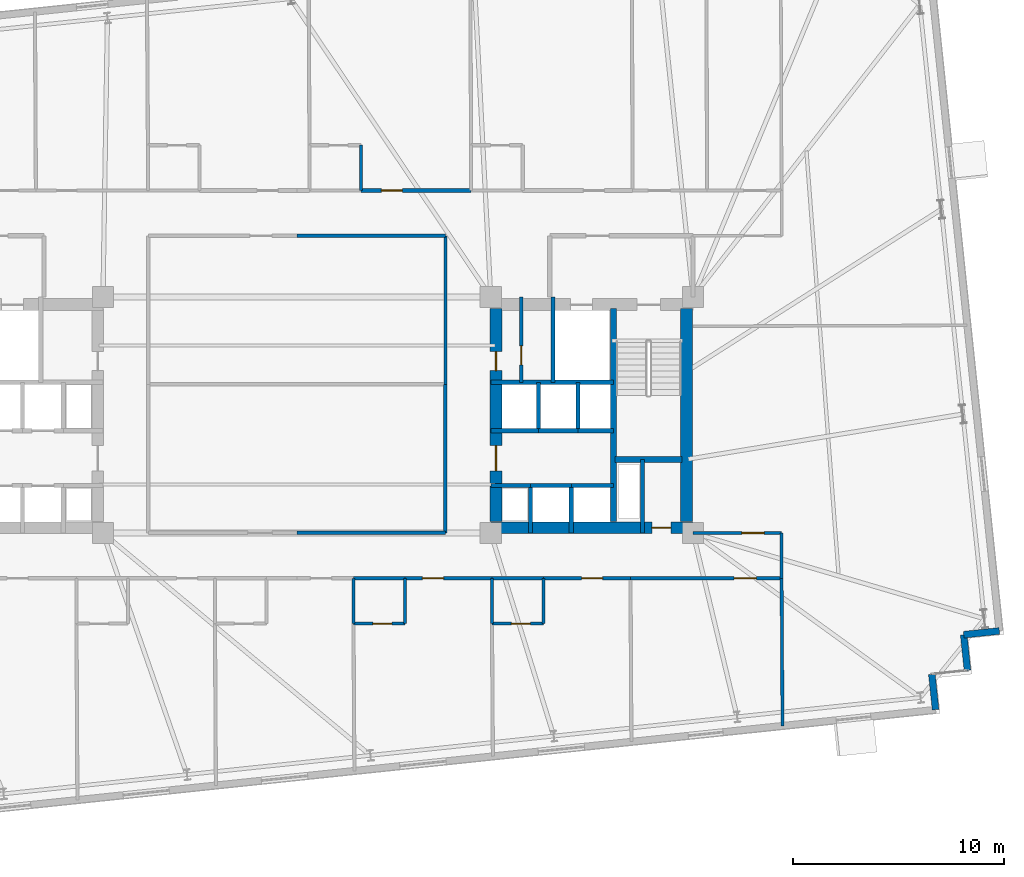
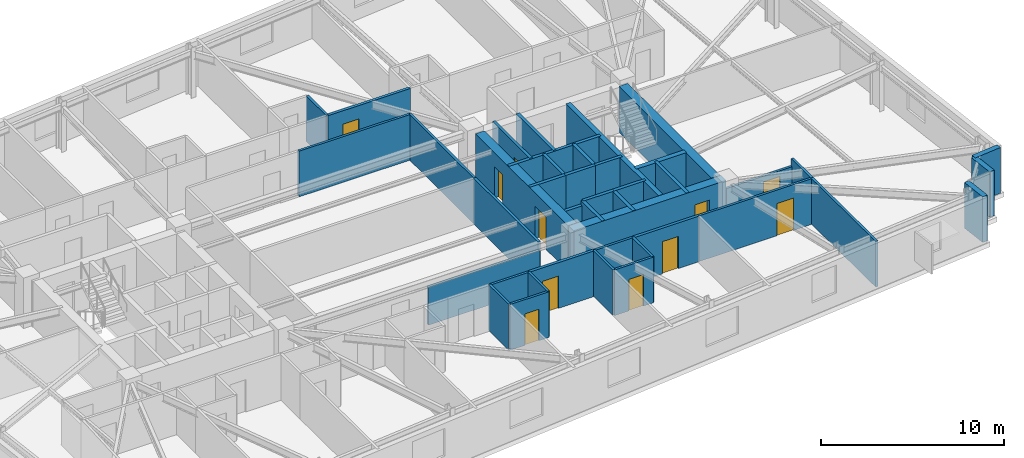
# One storey, part 14 of 19: 42 walls, 11 doors, 11 openings.
"""IFC4 building model written with IfcOpenShell, lengths in metres."""

from ifc_helpers import new_model, si_unit, direction, frame, frame_2d, origin, place, context, subcontext, project, spatial, rectangle, extrude, material, layer, layer_set, type_object, element, fill, save


model = new_model("IFC4")

# Units and contexts
model_context = context("Model", 3, precision=1e-05, world=origin(), true_north=direction((0.0, 1.0)))
body_context = subcontext(model_context, "Body", "Model", "MODEL_VIEW")
ifc_project = project(units=[si_unit("LENGTHUNIT", "METRE"), si_unit("AREAUNIT", "SQUARE_METRE"), si_unit("VOLUMEUNIT", "CUBIC_METRE"), si_unit("PLANEANGLEUNIT", "RADIAN"), si_unit("MASSUNIT", "GRAM", prefix="KILO")], contexts=[model_context])

# Site, building, storey
site_placement = place(None, origin())
site = spatial("IfcSite", under=ifc_project, at=site_placement, CompositionType="ELEMENT")
building_placement = place(site_placement, origin())
building = spatial("IfcBuilding", under=site, at=building_placement, Name="Qobustan Lattice House", CompositionType="ELEMENT")
storey_placement = place(building_placement, frame((0.0, 0.0, 115.85009765625)))
storey = spatial("IfcBuildingStorey", under=building, at=storey_placement, Name="L32", CompositionType="ELEMENT", Elevation=115.85009765625)

# Wall, opening, door
ifc_material_1 = material(Name="Concrete C60/75", Category="concrete")
ifc_layer_1 = layer(ifc_material_1, 0.56005859375)
ifc_layer_set_1 = layer_set([ifc_layer_1], Name="Concrete C60/75")
wall_type_1 = type_object("IfcWallType", Name="WAL-CORE-600", PredefinedType="SHEAR", material=ifc_layer_set_1)
wall_1_placement = place(storey_placement, frame((9.199951171875, -5.35009765625, 0.0), z_axis=(0.0, 0.0, 1.0), x_axis=(1.0, 0.0, 0.0)))
wall_1 = element("IfcWall", 1, at=wall_1_placement, inside=storey, type_object=wall_type_1, Name="L32 split-core shear wall CE-S", PredefinedType="SHEAR", context=body_context, shape_type="SweptSolid", body=[
    extrude(rectangle(XDim=9.60009765625, YDim=0.56005859375, at=frame_2d((4.800048828125, 0.0))), origin(), (0.0, 0.0, 1.0), 3.044921875),
])
opening_1_placement = place(wall_1_placement, frame((7.64990234375, 0.0, 0.0)))
opening_1 = element("IfcOpeningElement", 2, at=opening_1_placement, cuts=wall_1, Name="Opening RD-01", PredefinedType="OPENING", context=body_context, shape_type="SweptSolid", body=[
    extrude(rectangle(XDim=0.89990234375, YDim=2.10009765625, at=frame_2d((0.449951171875, 1.050048828125))), frame((0.0, 0.2900390625, 0.0), z_axis=(0.0, -1.0, 0.0), x_axis=(1.0, 0.0, 0.0)), (0.0, 0.0, 1.0), 0.580078125),
])
ifc_material_2 = material(Name="Persian walnut timber and steel frame door", Category="steel")
door_type_1 = type_object("IfcDoorType", Name="DOR-RISER-FD-900x2100", OperationType="NOTDEFINED", PredefinedType="DOOR", material=ifc_material_2)
door_1_placement = place(opening_1_placement, origin())
door_1 = element("IfcDoor", 3, at=door_1_placement, inside=storey, type_object=door_type_1, Name="L32 core service riser access door E", OperationType="SINGLE_SWING_LEFT", OverallHeight=2.10009765625, OverallWidth=0.89990234375, PredefinedType="DOOR", context=body_context, shape_type="SweptSolid", body=[
    extrude(rectangle(XDim=0.89990234375, YDim=2.10009765625, at=frame_2d((0.449951171875, 1.050048828125))), frame((0.0, 0.02490234375, 0.0), z_axis=(0.0, -1.0, 0.0), x_axis=(1.0, 0.0, 0.0)), (0.0, 0.0, 1.0), 0.050048828125),
])
fill(opening_1, door_1)

# Wall, openings, doors
wall_2_placement = place(storey_placement, frame((9.449951171875, -5.050048828125, 0.0), z_axis=(0.0, 0.0, 1.0), x_axis=(0.0, 1.0, 0.0)))
wall_2 = element("IfcWall", 4, at=wall_2_placement, inside=storey, type_object=wall_type_1, Name="L32 split-core shear wall CE-W", PredefinedType="SHEAR", context=body_context, shape_type="SweptSolid", body=[
    extrude(rectangle(XDim=10.10009765625, YDim=0.56005859375, at=frame_2d((5.050048828125, 0.0))), origin(), (0.0, 0.0, 1.0), 3.044921875),
])
opening_2_placement = place(wall_2_placement, frame((7.14990234375, 0.0, 0.0)))
opening_2 = element("IfcOpeningElement", 5, at=opening_2_placement, cuts=wall_2, Name="Opening RD-01", PredefinedType="OPENING", context=body_context, shape_type="SweptSolid", body=[
    extrude(rectangle(XDim=0.89990234375, YDim=2.10009765625, at=frame_2d((0.449951171875, 1.050048828125))), frame((0.0, 0.2900390625, 0.0), z_axis=(0.0, -1.0, 0.0), x_axis=(1.0, 0.0, 0.0)), (0.0, 0.0, 1.0), 0.580078125),
])
opening_3_placement = place(wall_2_placement, frame((2.39990234375, 0.0, 0.0)))
opening_3 = element("IfcOpeningElement", 6, at=opening_3_placement, cuts=wall_2, Name="Opening FD-01", PredefinedType="OPENING", context=body_context, shape_type="SweptSolid", body=[
    extrude(rectangle(XDim=1.199951171875, YDim=2.14990234375, at=frame_2d((0.60009765625, 1.074951171875))), frame((0.0, 0.2900390625, 0.0), z_axis=(0.0, -1.0, 0.0), x_axis=(1.0, 0.0, 0.0)), (0.0, 0.0, 1.0), 0.580078125),
])
ifc_material_3 = material(Name="Persian walnut timber and steel frame door", Category="steel")
door_type_2 = type_object("IfcDoorType", Name="DOR-LOBBY-FD-1200x2150", OperationType="NOTDEFINED", PredefinedType="DOOR", material=ifc_material_3)
door_2_placement = place(opening_3_placement, origin())
door_2 = element("IfcDoor", 7, at=door_2_placement, inside=storey, type_object=door_type_2, Name="L32 East passenger lift lobby fire door", OperationType="SINGLE_SWING_RIGHT", OverallHeight=2.14990234375, OverallWidth=1.199951171875, PredefinedType="DOOR", context=body_context, shape_type="SweptSolid", body=[
    extrude(rectangle(XDim=1.199951171875, YDim=2.14990234375, at=frame_2d((0.60009765625, 1.074951171875))), frame((0.0, 0.02490234375, 0.0), z_axis=(0.0, -1.0, 0.0), x_axis=(1.0, 0.0, 0.0)), (0.0, 0.0, 1.0), 0.050048828125),
])
fill(opening_3, door_2)
door_3_placement = place(opening_2_placement, origin())
door_3 = element("IfcDoor", 8, at=door_3_placement, inside=storey, type_object=door_type_1, Name="L32 Print and mail closet fire door", OperationType="SINGLE_SWING_LEFT", OverallHeight=2.10009765625, OverallWidth=0.89990234375, PredefinedType="DOOR", context=body_context, shape_type="SweptSolid", body=[
    extrude(rectangle(XDim=0.89990234375, YDim=2.10009765625, at=frame_2d((0.449951171875, 1.050048828125))), frame((0.0, 0.02490234375, 0.0), z_axis=(0.0, -1.0, 0.0), x_axis=(1.0, 0.0, 0.0)), (0.0, 0.0, 1.0), 0.050048828125),
])
fill(opening_2, door_3)

# Walls
wall_3_placement = place(storey_placement, frame((18.489990234375, -5.050048828125, 0.0), z_axis=(0.0, 0.0, 1.0), x_axis=(0.0, 1.0, 0.0)))
element("IfcWall", 9, at=wall_3_placement, inside=storey, type_object=wall_type_1, Name="L32 split-core shear wall CE-E", PredefinedType="SHEAR", context=body_context, shape_type="SweptSolid", body=[
    extrude(rectangle(XDim=10.10009765625, YDim=0.56005859375, at=frame_2d((5.050048828125, 0.0))), origin(), (0.0, 0.0, 1.0), 3.044921875),
])
ifc_material_4 = material(Name="Concrete C50/60", Category="concrete")
ifc_layer_2 = layer(ifc_material_4, 0.280029296875)
ifc_layer_set_2 = layer_set([ifc_layer_2], Name="Concrete C50/60")
wall_type_2 = type_object("IfcWallType", Name="WAL-CORE-SPINE-280", PredefinedType="SHEAR", material=ifc_layer_set_2)
wall_4_placement = place(storey_placement, frame((15.02001953125, -5.050048828125, 0.0), z_axis=(0.0, 0.0, 1.0), x_axis=(0.0, 1.0, 0.0)))
element("IfcWall", 10, at=wall_4_placement, inside=storey, type_object=wall_type_2, Name="L32 split-core shear wall CE-M", PredefinedType="SHEAR", context=body_context, shape_type="SweptSolid", body=[
    extrude(rectangle(XDim=10.10009765625, YDim=0.300048828125, at=frame_2d((5.050048828125, 0.0))), origin(), (0.0, 0.0, 1.0), 3.044921875),
])
wall_5_placement = place(storey_placement, frame((15.10009765625, -2.110107421875, 0.0), z_axis=(0.0, 0.0, 1.0), x_axis=(1.0, 0.0, 0.0)))
element("IfcWall", 11, at=wall_5_placement, inside=storey, type_object=wall_type_2, Name="L32 split-core shear wall CE-ST", PredefinedType="SHEAR", context=body_context, shape_type="SweptSolid", body=[
    extrude(rectangle(XDim=3.179931640625, YDim=0.300048828125, at=frame_2d((1.58984375, 0.0))), origin(), (0.0, 0.0, 1.0), 3.044921875),
])
ifc_material_5 = material(Name="Precast concrete C40/50", Category="concrete")
ifc_layer_3 = layer(ifc_material_5, 0.320068359375)
ifc_layer_set_3 = layer_set([ifc_layer_3], Name="Precast concrete C40/50")
wall_type_3 = type_object("IfcWallType", Name="WAL-EXT-STONE-320", PredefinedType="SOLIDWALL", material=ifc_layer_set_3)
for number, where, z_axis, x_axis, name in (
    (12, (33.333251953125, -10.2490234375, 0.0), (0.0, 0.0, 1.0), (-0.994519608382, -0.104550220202, 0.0), "L32 exterior limestone-clad wall 16"),
    (13, (31.642578125, -10.4267578125, 0.0), (0.0, 0.0, 1.0), (0.104550220202, -0.994519608382, 0.0), "L32 exterior limestone-clad wall 17"),
):
    element("IfcWall", number, at=place(storey_placement, frame(where, z_axis=z_axis, x_axis=x_axis)), inside=storey, type_object=wall_type_3, Name=name, PredefinedType="SOLIDWALL", context=body_context, shape_type="SweptSolid", body=[
        extrude(rectangle(XDim=1.699951171875, YDim=0.320068359375, at=frame_2d((0.85009765625, 0.0))), origin(), (0.0, 0.0, 1.0), 3.044921875),
    ])
wall_6_placement = place(storey_placement, frame((30.129638671875, -12.295166015625, 0.0), z_axis=(0.0, 0.0, 1.0), x_axis=(0.104565154801, -0.994518038248, 0.0)))
element("IfcWall", 14, at=wall_6_placement, inside=storey, type_object=wall_type_3, Name="L32 exterior limestone-clad wall 19", PredefinedType="SOLIDWALL", context=body_context, shape_type="SweptSolid", body=[
    extrude(rectangle(XDim=1.69970703125, YDim=0.320068359375, at=frame_2d((0.849853515625, 0.0))), origin(), (0.0, 0.0, 1.0), 3.044921875),
])

# Wall, opening, door
ifc_material_6 = material(Name="Gypsum fireboard acoustic partition", Category="gypsum")
ifc_layer_4 = layer(ifc_material_6, 0.179931640625)
ifc_layer_set_4 = layer_set([ifc_layer_4], Name="Gypsum fireboard acoustic partition")
wall_type_4 = type_object("IfcWallType", Name="WAL-FIRE-180", PredefinedType="PARTITIONING", material=ifc_layer_set_4)
wall_7_placement = place(storey_placement, frame((10.64990234375, 1.550048828125, 0.0), z_axis=(0.0, 0.0, 1.0), x_axis=(0.0, 1.0, 0.0)))
wall_7 = element("IfcWall", 15, at=wall_7_placement, inside=storey, type_object=wall_type_4, Name="L32 interior partition 23", PredefinedType="PARTITIONING", context=body_context, shape_type="SweptSolid", body=[
    extrude(rectangle(XDim=4.050048828125, YDim=0.179931640625, at=frame_2d((2.02490234375, 0.0))), origin(), (0.0, 0.0, 1.0), 3.044921875),
])
opening_4_placement = place(wall_7_placement, frame((0.828857421875, 0.0, 0.0)))
opening_4 = element("IfcOpeningElement", 16, at=opening_4_placement, cuts=wall_7, Name="Opening RD-01", PredefinedType="OPENING", context=body_context, shape_type="SweptSolid", body=[
    extrude(rectangle(XDim=0.89990234375, YDim=2.10009765625, at=frame_2d((0.449951171875, 1.050048828125))), frame((0.0, 0.099853515625, 0.0), z_axis=(0.0, -1.0, 0.0), x_axis=(1.0, 0.0, 0.0)), (0.0, 0.0, 1.0), 0.199951171875),
])
door_4_placement = place(opening_4_placement, origin())
door_4 = element("IfcDoor", 17, at=door_4_placement, inside=storey, type_object=door_type_1, Name="L32 Print and mail closet to Core utility store door", OperationType="SINGLE_SWING_RIGHT", OverallHeight=2.10009765625, OverallWidth=0.89990234375, PredefinedType="DOOR", context=body_context, shape_type="SweptSolid", body=[
    extrude(rectangle(XDim=0.89990234375, YDim=2.10009765625, at=frame_2d((0.449951171875, 1.050048828125))), frame((0.0, 0.02490234375, 0.0), z_axis=(0.0, -1.0, 0.0), x_axis=(1.0, 0.0, 0.0)), (0.0, 0.0, 1.0), 0.050048828125),
])
fill(opening_4, door_4)

wall_8_placement = place(storey_placement, frame((3.050048828125, 10.64990234375, 0.0), z_axis=(0.0, 0.0, 1.0), x_axis=(1.0, 0.0, 0.0)))
wall_8 = element("IfcWall", 18, at=wall_8_placement, inside=storey, type_object=wall_type_4, Name="L32 interior partition 47", PredefinedType="PARTITIONING", context=body_context, shape_type="SweptSolid", body=[
    extrude(rectangle(XDim=5.217041015625, YDim=0.179931640625, at=frame_2d((2.6083984375, 0.0))), origin(), (0.0, 0.0, 1.0), 3.044921875),
])
opening_5_placement = place(wall_8_placement, frame((0.962158203125, 0.0, 0.0)))
opening_5 = element("IfcOpeningElement", 19, at=opening_5_placement, cuts=wall_8, Name="Opening FD-02", PredefinedType="OPENING", context=body_context, shape_type="SweptSolid", body=[
    extrude(rectangle(XDim=1.0, YDim=2.14990234375, at=frame_2d((0.5, 1.074951171875))), frame((0.0, 0.099853515625, 0.0), z_axis=(0.0, -1.0, 0.0), x_axis=(1.0, 0.0, 0.0)), (0.0, 0.0, 1.0), 0.199951171875),
])
ifc_material_7 = material(Name="Persian walnut timber and steel frame door", Category="steel")
door_type_3 = type_object("IfcDoorType", Name="DOR-UNIT-FD-1000x2150", OperationType="NOTDEFINED", PredefinedType="DOOR", material=ifc_material_7)
door_5_placement = place(opening_5_placement, origin())
door_5 = element("IfcDoor", 20, at=door_5_placement, inside=storey, type_object=door_type_3, Name="L32 North-east floor corridor to Kitchenette and studio apartment L32-N4 door", OperationType="SINGLE_SWING_RIGHT", OverallHeight=2.14990234375, OverallWidth=1.0, PredefinedType="DOOR", context=body_context, shape_type="SweptSolid", body=[
    extrude(rectangle(XDim=1.0, YDim=2.14990234375, at=frame_2d((0.5, 1.074951171875))), frame((0.0, 0.02490234375, 0.0), z_axis=(0.0, -1.0, 0.0), x_axis=(1.0, 0.0, 0.0)), (0.0, 0.0, 1.0), 0.050048828125),
])
fill(opening_5, door_5)

wall_9_placement = place(storey_placement, frame((9.257080078125, -7.75, 0.0), z_axis=(0.0, 0.0, 1.0), x_axis=(-1.0, 0.0, 0.0)))
wall_9 = element("IfcWall", 21, at=wall_9_placement, inside=storey, type_object=wall_type_4, Name="L32 interior partition 67", PredefinedType="PARTITIONING", context=body_context, shape_type="SweptSolid", body=[
    extrude(rectangle(XDim=4.12109375, YDim=0.179931640625, at=frame_2d((2.060546875, 0.0))), origin(), (0.0, 0.0, 1.0), 3.044921875),
])
opening_6_placement = place(wall_9_placement, frame((2.2958984375, 0.0, 0.0)))
opening_6 = element("IfcOpeningElement", 22, at=opening_6_placement, cuts=wall_9, Name="Opening FD-02", PredefinedType="OPENING", context=body_context, shape_type="SweptSolid", body=[
    extrude(rectangle(XDim=1.0, YDim=2.14990234375, at=frame_2d((0.5, 1.074951171875))), frame((0.0, 0.099853515625, 0.0), z_axis=(0.0, -1.0, 0.0), x_axis=(1.0, 0.0, 0.0)), (0.0, 0.0, 1.0), 0.199951171875),
])
door_6_placement = place(opening_6_placement, origin())
door_6 = element("IfcDoor", 23, at=door_6_placement, inside=storey, type_object=door_type_3, Name="L32 South-east floor corridor to Kitchenette and studio apartment L32-S5 door", OperationType="SINGLE_SWING_LEFT", OverallHeight=2.14990234375, OverallWidth=1.0, PredefinedType="DOOR", context=body_context, shape_type="SweptSolid", body=[
    extrude(rectangle(XDim=1.0, YDim=2.14990234375, at=frame_2d((0.5, 1.074951171875))), frame((0.0, 0.02490234375, 0.0), z_axis=(0.0, -1.0, 0.0), x_axis=(1.0, 0.0, 0.0)), (0.0, 0.0, 1.0), 0.050048828125),
])
fill(opening_6, door_6)

wall_10_placement = place(storey_placement, frame((15.8291015625, -7.75, 0.0), z_axis=(0.0, 0.0, 1.0), x_axis=(-1.0, 0.0, 0.0)))
wall_10 = element("IfcWall", 24, at=wall_10_placement, inside=storey, type_object=wall_type_4, Name="L32 interior partition 69", PredefinedType="PARTITIONING", context=body_context, shape_type="SweptSolid", body=[
    extrude(rectangle(XDim=4.1220703125, YDim=0.179931640625, at=frame_2d((2.06103515625, 0.0))), origin(), (0.0, 0.0, 1.0), 3.044921875),
])
opening_7_placement = place(wall_10_placement, frame((1.315673828125, 0.0, 0.0)))
opening_7 = element("IfcOpeningElement", 25, at=opening_7_placement, cuts=wall_10, Name="Opening FD-02", PredefinedType="OPENING", context=body_context, shape_type="SweptSolid", body=[
    extrude(rectangle(XDim=1.0, YDim=2.14990234375, at=frame_2d((0.5, 1.074951171875))), frame((0.0, 0.099853515625, 0.0), z_axis=(0.0, -1.0, 0.0), x_axis=(1.0, 0.0, 0.0)), (0.0, 0.0, 1.0), 0.199951171875),
])
door_7_placement = place(opening_7_placement, origin())
door_7 = element("IfcDoor", 26, at=door_7_placement, inside=storey, type_object=door_type_3, Name="L32 South-east floor corridor to Kitchenette and studio apartment L32-S6 door", OperationType="SINGLE_SWING_RIGHT", OverallHeight=2.14990234375, OverallWidth=1.0, PredefinedType="DOOR", context=body_context, shape_type="SweptSolid", body=[
    extrude(rectangle(XDim=1.0, YDim=2.14990234375, at=frame_2d((0.5, 1.074951171875))), frame((0.0, 0.02490234375, 0.0), z_axis=(0.0, -1.0, 0.0), x_axis=(1.0, 0.0, 0.0)), (0.0, 0.0, 1.0), 0.050048828125),
])
fill(opening_7, door_7)

# Wall
ifc_material_8 = material(Name="Acoustic twin-stud gypsum partition", Category="gypsum")
ifc_layer_5 = layer(ifc_material_8, 0.14990234375)
ifc_layer_set_5 = layer_set([ifc_layer_5], Name="Acoustic twin-stud gypsum partition")
wall_type_5 = type_object("IfcWallType", Name="WAL-PART-150", PredefinedType="PARTITIONING", material=ifc_layer_set_5)
wall_11_placement = place(storey_placement, frame((7.050048828125, 8.5, 0.0), z_axis=(0.0, 0.0, 1.0), x_axis=(-1.0, 0.0, 0.0)))
element("IfcWall", 27, at=wall_11_placement, inside=storey, type_object=wall_type_5, Name="L32 interior partition 53", PredefinedType="PARTITIONING", context=body_context, shape_type="SweptSolid", body=[
    extrude(rectangle(XDim=7.050048828125, YDim=0.14990234375, at=frame_2d((3.52490234375, 0.0))), origin(), (0.0, 0.0, 1.0), 3.044921875),
])

# Wall, opening, door
wall_12_placement = place(storey_placement, frame((18.800048828125, -5.60009765625, 0.0), z_axis=(0.0, 0.0, 1.0), x_axis=(1.0, 0.0, 0.0)))
wall_12 = element("IfcWall", 28, at=wall_12_placement, inside=storey, type_object=wall_type_5, Name="L32 interior partition 64", PredefinedType="PARTITIONING", context=body_context, shape_type="SweptSolid", body=[
    extrude(rectangle(XDim=4.199951171875, YDim=0.14990234375, at=frame_2d((2.10009765625, 0.0))), origin(), (0.0, 0.0, 1.0), 2.52978515625),
])
opening_8_placement = place(wall_12_placement, frame((2.3212890625, 0.0, 0.0)))
opening_8 = element("IfcOpeningElement", 29, at=opening_8_placement, cuts=wall_12, Name="Opening ID-02", PredefinedType="OPENING", context=body_context, shape_type="SweptSolid", body=[
    extrude(rectangle(XDim=1.050048828125, YDim=2.14990234375, at=frame_2d((0.52490234375, 1.074951171875))), frame((0.0, 0.0849609375, 0.0), z_axis=(0.0, -1.0, 0.0), x_axis=(1.0, 0.0, 0.0)), (0.0, 0.0, 1.0), 0.169921875),
])
ifc_material_9 = material(Name="Persian walnut timber and steel frame door", Category="steel")
door_type_4 = type_object("IfcDoorType", Name="DOR-STUDY-1050x2150", OperationType="NOTDEFINED", PredefinedType="DOOR", material=ifc_material_9)
door_8_placement = place(opening_8_placement, origin())
door_8 = element("IfcDoor", 30, at=door_8_placement, inside=storey, type_object=door_type_4, Name="L32 South-east floor corridor to Academic seminar room door", OperationType="SINGLE_SWING_LEFT", OverallHeight=2.14990234375, OverallWidth=1.050048828125, PredefinedType="DOOR", context=body_context, shape_type="SweptSolid", body=[
    extrude(rectangle(XDim=1.050048828125, YDim=2.14990234375, at=frame_2d((0.52490234375, 1.074951171875))), frame((0.0, 0.02490234375, 0.0), z_axis=(0.0, -1.0, 0.0), x_axis=(1.0, 0.0, 0.0)), (0.0, 0.0, 1.0), 0.050048828125),
])
fill(opening_8, door_8)

# Wall
wall_13_placement = place(storey_placement, frame((23.0, -5.60009765625, 0.0), z_axis=(0.0, 0.0, 1.0), x_axis=(0.0, -1.0, 0.0)))
element("IfcWall", 31, at=wall_13_placement, inside=storey, type_object=wall_type_5, Name="L32 interior partition 65", PredefinedType="PARTITIONING", context=body_context, shape_type="SweptSolid", body=[
    extrude(rectangle(XDim=2.14990234375, YDim=0.14990234375, at=frame_2d((1.074951171875, 0.0))), origin(), (0.0, 0.0, 1.0), 3.044921875),
])

# Wall, opening, door
wall_14_placement = place(storey_placement, frame((23.0, -7.75, 0.0), z_axis=(0.0, 0.0, 1.0), x_axis=(-1.0, 0.0, 0.0)))
wall_14 = element("IfcWall", 32, at=wall_14_placement, inside=storey, type_object=wall_type_5, Name="L32 interior partition 71", PredefinedType="PARTITIONING", context=body_context, shape_type="SweptSolid", body=[
    extrude(rectangle(XDim=7.1708984375, YDim=0.14990234375, at=frame_2d((3.58544921875, 0.0))), origin(), (0.0, 0.0, 1.0), 3.044921875),
])
opening_9_placement = place(wall_14_placement, frame((1.2001953125, 0.0, 0.0)))
opening_9 = element("IfcOpeningElement", 33, at=opening_9_placement, cuts=wall_14, Name="Opening ID-02", PredefinedType="OPENING", context=body_context, shape_type="SweptSolid", body=[
    extrude(rectangle(XDim=1.050048828125, YDim=2.14990234375, at=frame_2d((0.52490234375, 1.074951171875))), frame((0.0, 0.0849609375, 0.0), z_axis=(0.0, -1.0, 0.0), x_axis=(1.0, 0.0, 0.0)), (0.0, 0.0, 1.0), 0.169921875),
])
door_9_placement = place(opening_9_placement, origin())
door_9 = element("IfcDoor", 34, at=door_9_placement, inside=storey, type_object=door_type_4, Name="L32 South-east floor corridor to Group study room door", OperationType="SINGLE_SWING_LEFT", OverallHeight=2.14990234375, OverallWidth=1.050048828125, PredefinedType="DOOR", context=body_context, shape_type="SweptSolid", body=[
    extrude(rectangle(XDim=1.050048828125, YDim=2.14990234375, at=frame_2d((0.52490234375, 1.074951171875))), frame((0.0, 0.02490234375, 0.0), z_axis=(0.0, -1.0, 0.0), x_axis=(1.0, 0.0, 0.0)), (0.0, 0.0, 1.0), 0.050048828125),
])
fill(opening_9, door_9)

# Walls
wall_15_placement = place(storey_placement, frame((7.050048828125, 1.449951171875, 0.0), z_axis=(0.0, 0.0, 1.0), x_axis=(0.0, 1.0, 0.0)))
element("IfcWall", 35, at=wall_15_placement, inside=storey, type_object=wall_type_5, Name="L32 interior partition 76", PredefinedType="PARTITIONING", context=body_context, shape_type="SweptSolid", body=[
    extrude(rectangle(XDim=7.050048828125, YDim=0.14990234375, at=frame_2d((3.52490234375, 0.0))), origin(), (0.0, 0.0, 1.0), 3.044921875),
])
wall_16_placement = place(storey_placement, frame((23.0439453125, -14.7490234375, 0.0), z_axis=(0.0, 0.0, 1.0), x_axis=(-0.006278653971, 0.999980289058, 0.0)))
element("IfcWall", 36, at=wall_16_placement, inside=storey, type_object=wall_type_5, Name="L32 interior partition 81", PredefinedType="PARTITIONING", context=body_context, shape_type="SweptSolid", body=[
    extrude(rectangle(XDim=6.999267578125, YDim=0.14990234375, at=frame_2d((3.49951171875, 0.0))), origin(), (0.0, 0.0, 1.0), 3.044921875),
])
ifc_material_10 = material(Name="High-mass acoustic twin-stud partition", Category="gypsum")
ifc_layer_6 = layer(ifc_material_10, 0.1650390625)
ifc_layer_set_6 = layer_set([ifc_layer_6], Name="High-mass acoustic twin-stud partition")
wall_type_6 = type_object("IfcWallType", Name="WAL-PART-165", PredefinedType="PARTITIONING", material=ifc_layer_set_6)
wall_17_placement = place(storey_placement, frame((0.0, -5.60009765625, 0.0), z_axis=(0.0, 0.0, 1.0), x_axis=(1.0, 0.0, 0.0)))
element("IfcWall", 37, at=wall_17_placement, inside=storey, type_object=wall_type_6, Name="L32 interior partition 72", PredefinedType="PARTITIONING", context=body_context, shape_type="SweptSolid", body=[
    extrude(rectangle(XDim=7.050048828125, YDim=0.1650390625, at=frame_2d((3.52490234375, 0.0))), origin(), (0.0, 0.0, 1.0), 2.52978515625),
])
wall_18_placement = place(storey_placement, frame((7.050048828125, -5.60009765625, 0.0), z_axis=(0.0, 0.0, 1.0), x_axis=(0.0, 1.0, 0.0)))
element("IfcWall", 38, at=wall_18_placement, inside=storey, type_object=wall_type_6, Name="L32 interior partition 75", PredefinedType="PARTITIONING", context=body_context, shape_type="SweptSolid", body=[
    extrude(rectangle(XDim=7.050048828125, YDim=0.1650390625, at=frame_2d((3.52490234375, 0.0))), origin(), (0.0, 0.0, 1.0), 3.044921875),
])
ifc_material_11 = material(Name="Concrete C40/50", Category="concrete")
ifc_layer_7 = layer(ifc_material_11, 0.199951171875)
ifc_layer_set_7 = layer_set([ifc_layer_7], Name="Concrete C40/50")
wall_type_7 = type_object("IfcWallType", Name="WAL-SHAFT-200", PredefinedType="PARTITIONING", material=ifc_layer_set_7)
wall_19_placement = place(storey_placement, frame((16.39990234375, -2.110107421875, 0.0), z_axis=(0.0, 0.0, 1.0), x_axis=(0.0, -1.0, 0.0)))
element("IfcWall", 39, at=wall_19_placement, inside=storey, type_object=wall_type_7, Name="L32 interior partition 18", PredefinedType="PARTITIONING", context=body_context, shape_type="SweptSolid", body=[
    extrude(rectangle(XDim=3.489990234375, YDim=0.199951171875, at=frame_2d((1.7451171875, 0.0))), origin(), (0.0, 0.0, 1.0), 3.044921875),
])
wall_20_placement = place(storey_placement, frame((12.14990234375, 5.60009765625, 0.0), z_axis=(0.0, 0.0, 1.0), x_axis=(0.0, -1.0, 0.0)))
element("IfcWall", 40, at=wall_20_placement, inside=storey, type_object=wall_type_7, Name="L32 interior partition 19", PredefinedType="PARTITIONING", context=body_context, shape_type="SweptSolid", body=[
    extrude(rectangle(XDim=4.050048828125, YDim=0.199951171875, at=frame_2d((2.02490234375, 0.0))), origin(), (0.0, 0.0, 1.0), 3.044921875),
])
wall_21_placement = place(storey_placement, frame((9.199951171875, -3.35009765625, 0.0), z_axis=(0.0, 0.0, 1.0), x_axis=(1.0, 0.0, 0.0)))
element("IfcWall", 41, at=wall_21_placement, inside=storey, type_object=wall_type_7, Name="L32 interior partition 25", PredefinedType="PARTITIONING", context=body_context, shape_type="SweptSolid", body=[
    extrude(rectangle(XDim=1.880126953125, YDim=0.199951171875, at=frame_2d((0.93994140625, 0.0))), origin(), (0.0, 0.0, 1.0), 2.760009765625),
])
wall_22_placement = place(storey_placement, frame((11.080078125, -3.35009765625, 0.0), z_axis=(0.0, 0.0, 1.0), x_axis=(1.0, 0.0, 0.0)))
element("IfcWall", 42, at=wall_22_placement, inside=storey, type_object=wall_type_7, Name="L32 interior partition 26", PredefinedType="PARTITIONING", context=body_context, shape_type="SweptSolid", body=[
    extrude(rectangle(XDim=1.93994140625, YDim=0.199951171875, at=frame_2d((0.969970703125, 0.0))), origin(), (0.0, 0.0, 1.0), 3.044921875),
])
wall_23_placement = place(storey_placement, frame((13.02001953125, -3.35009765625, 0.0), z_axis=(0.0, 0.0, 1.0), x_axis=(1.0, 0.0, 0.0)))
element("IfcWall", 43, at=wall_23_placement, inside=storey, type_object=wall_type_7, Name="L32 interior partition 27", PredefinedType="PARTITIONING", context=body_context, shape_type="SweptSolid", body=[
    extrude(rectangle(XDim=2.0, YDim=0.199951171875, at=frame_2d((1.0, 0.0))), origin(), (0.0, 0.0, 1.0), 3.044921875),
])
wall_24_placement = place(storey_placement, frame((11.4599609375, -0.75, 0.0), z_axis=(0.0, 0.0, 1.0), x_axis=(-1.0, 0.0, 0.0)))
element("IfcWall", 44, at=wall_24_placement, inside=storey, type_object=wall_type_7, Name="L32 interior partition 28", PredefinedType="PARTITIONING", context=body_context, shape_type="SweptSolid", body=[
    extrude(rectangle(XDim=2.260009765625, YDim=0.199951171875, at=frame_2d((1.1298828125, 0.0))), origin(), (0.0, 0.0, 1.0), 3.044921875),
])
wall_25_placement = place(storey_placement, frame((13.340087890625, -0.75, 0.0), z_axis=(0.0, 0.0, 1.0), x_axis=(-1.0, 0.0, 0.0)))
element("IfcWall", 45, at=wall_25_placement, inside=storey, type_object=wall_type_7, Name="L32 interior partition 29", PredefinedType="PARTITIONING", context=body_context, shape_type="SweptSolid", body=[
    extrude(rectangle(XDim=1.880126953125, YDim=0.199951171875, at=frame_2d((0.93994140625, 0.0))), origin(), (0.0, 0.0, 1.0), 3.044921875),
])
wall_26_placement = place(storey_placement, frame((15.02001953125, -0.75, 0.0), z_axis=(0.0, 0.0, 1.0), x_axis=(-1.0, 0.0, 0.0)))
element("IfcWall", 46, at=wall_26_placement, inside=storey, type_object=wall_type_7, Name="L32 interior partition 30", PredefinedType="PARTITIONING", context=body_context, shape_type="SweptSolid", body=[
    extrude(rectangle(XDim=1.679931640625, YDim=0.199951171875, at=frame_2d((0.83984375, 0.0))), origin(), (0.0, 0.0, 1.0), 3.044921875),
])
for number, where, z_axis, x_axis, name in (
    (47, (11.080078125, -5.60009765625, 0.0), (0.0, 0.0, 1.0), (0.0, 1.0, 0.0), "L32 interior partition 32"),
    (48, (13.02001953125, -5.60009765625, 0.0), (0.0, 0.0, 1.0), (0.0, 1.0, 0.0), "L32 interior partition 33"),
):
    element("IfcWall", number, at=place(storey_placement, frame(where, z_axis=z_axis, x_axis=x_axis)), inside=storey, type_object=wall_type_7, Name=name, PredefinedType="PARTITIONING", context=body_context, shape_type="SweptSolid", body=[
        extrude(rectangle(XDim=2.25, YDim=0.199951171875, at=frame_2d((1.125, 0.0))), origin(), (0.0, 0.0, 1.0), 3.044921875),
    ])
for number, where, z_axis, x_axis, name in (
    (49, (11.4599609375, -0.75, 0.0), (0.0, 0.0, 1.0), (0.0, 1.0, 0.0), "L32 interior partition 34"),
    (50, (13.340087890625, -0.75, 0.0), (0.0, 0.0, 1.0), (0.0, 1.0, 0.0), "L32 interior partition 35"),
):
    element("IfcWall", number, at=place(storey_placement, frame(where, z_axis=z_axis, x_axis=x_axis)), inside=storey, type_object=wall_type_7, Name=name, PredefinedType="PARTITIONING", context=body_context, shape_type="SweptSolid", body=[
        extrude(rectangle(XDim=2.300048828125, YDim=0.199951171875, at=frame_2d((1.14990234375, 0.0))), origin(), (0.0, 0.0, 1.0), 3.044921875),
    ])
wall_27_placement = place(storey_placement, frame((9.199951171875, 1.550048828125, 0.0), z_axis=(0.0, 0.0, 1.0), x_axis=(1.0, 0.0, 0.0)))
element("IfcWall", 51, at=wall_27_placement, inside=storey, type_object=wall_type_7, Name="L32 interior partition 122", PredefinedType="PARTITIONING", context=body_context, shape_type="SweptSolid", body=[
    extrude(rectangle(XDim=5.820068359375, YDim=0.199951171875, at=frame_2d((2.91015625, 0.0))), origin(), (0.0, 0.0, 1.0), 3.044921875),
])
ifc_material_12 = material(Name="Moisture-resistant acoustic plumbing wall", Category="gypsum")
ifc_layer_8 = layer(ifc_material_12, 0.14990234375)
ifc_layer_set_8 = layer_set([ifc_layer_8], Name="Moisture-resistant acoustic plumbing wall")
wall_type_8 = type_object("IfcWallType", Name="WAL-WET-150", PredefinedType="PLUMBINGWALL", material=ifc_layer_set_8)
for number, where, z_axis, x_axis, name in (
    (52, (5.135986328125, -7.75, 0.0), (0.0, 0.0, 1.0), (-1.0, 0.0, 0.0), "L32 interior partition 68"),
    (53, (11.70703125, -7.75, 0.0), (0.0, 0.0, 1.0), (-1.0, 0.0, 0.0), "L32 interior partition 70"),
):
    element("IfcWall", number, at=place(storey_placement, frame(where, z_axis=z_axis, x_axis=x_axis)), inside=storey, type_object=wall_type_8, Name=name, PredefinedType="PLUMBINGWALL", context=body_context, shape_type="SweptSolid", body=[
        extrude(rectangle(XDim=2.449951171875, YDim=0.14990234375, at=frame_2d((1.22509765625, 0.0))), origin(), (0.0, 0.0, 1.0), 3.044921875),
    ])
wall_28_placement = place(storey_placement, frame((3.050048828125, 10.64990234375, 0.0), z_axis=(0.0, 0.0, 1.0), x_axis=(0.0, 1.0, 0.0)))
element("IfcWall", 54, at=wall_28_placement, inside=storey, type_object=wall_type_8, Name="L32 interior partition 92", PredefinedType="PLUMBINGWALL", context=body_context, shape_type="SweptSolid", body=[
    extrude(rectangle(XDim=2.150146484375, YDim=0.14990234375, at=frame_2d((1.0751953125, 0.0))), origin(), (0.0, 0.0, 1.0), 3.044921875),
])
wall_29_placement = place(storey_placement, frame((2.68603515625, -7.75, 0.0), z_axis=(0.0, 0.0, 1.0), x_axis=(0.0, -1.0, 0.0)))
element("IfcWall", 55, at=wall_29_placement, inside=storey, type_object=wall_type_8, Name="L32 interior partition 112", PredefinedType="PLUMBINGWALL", context=body_context, shape_type="SweptSolid", body=[
    extrude(rectangle(XDim=2.14990234375, YDim=0.14990234375, at=frame_2d((1.074951171875, 0.0))), origin(), (0.0, 0.0, 1.0), 3.044921875),
])

# Wall, opening, door
wall_30_placement = place(storey_placement, frame((2.68603515625, -9.89990234375, 0.0), z_axis=(0.0, 0.0, 1.0), x_axis=(1.0, 0.0, 0.0)))
wall_30 = element("IfcWall", 56, at=wall_30_placement, inside=storey, type_object=wall_type_8, Name="L32 interior partition 113", PredefinedType="PLUMBINGWALL", context=body_context, shape_type="SweptSolid", body=[
    extrude(rectangle(XDim=2.449951171875, YDim=0.14990234375, at=frame_2d((1.22509765625, 0.0))), origin(), (0.0, 0.0, 1.0), 3.044921875),
])
opening_10_placement = place(wall_30_placement, frame((0.92138671875, 0.0, 0.0)))
opening_10 = element("IfcOpeningElement", 57, at=opening_10_placement, cuts=wall_30, Name="Opening WD-01", PredefinedType="OPENING", context=body_context, shape_type="SweptSolid", body=[
    extrude(rectangle(XDim=0.89990234375, YDim=2.10009765625, at=frame_2d((0.449951171875, 1.050048828125))), frame((0.0, 0.0849609375, 0.0), z_axis=(0.0, -1.0, 0.0), x_axis=(1.0, 0.0, 0.0)), (0.0, 0.0, 1.0), 0.169921875),
])
ifc_material_13 = material(Name="Persian walnut timber and steel frame door", Category="steel")
door_type_5 = type_object("IfcDoorType", Name="DOR-WET-900x2100", OperationType="NOTDEFINED", PredefinedType="DOOR", material=ifc_material_13)
door_10_placement = place(opening_10_placement, origin())
door_10 = element("IfcDoor", 58, at=door_10_placement, inside=storey, type_object=door_type_5, Name="L32 Kitchenette and studio apartment L32-S5 to En-suite bathroom L32-S5 door", OperationType="SINGLE_SWING_RIGHT", OverallHeight=2.10009765625, OverallWidth=0.89990234375, PredefinedType="DOOR", context=body_context, shape_type="SweptSolid", body=[
    extrude(rectangle(XDim=0.89990234375, YDim=2.10009765625, at=frame_2d((0.449951171875, 1.050048828125))), frame((0.0, 0.02490234375, 0.0), z_axis=(0.0, -1.0, 0.0), x_axis=(1.0, 0.0, 0.0)), (0.0, 0.0, 1.0), 0.050048828125),
])
fill(opening_10, door_10)

# Walls
for number, where, z_axis, x_axis, name in (
    (59, (5.135986328125, -9.89990234375, 0.0), (0.0, 0.0, 1.0), (0.0, 1.0, 0.0), "L32 interior partition 114"),
    (60, (9.257080078125, -7.75, 0.0), (0.0, 0.0, 1.0), (0.0, -1.0, 0.0), "L32 interior partition 116"),
):
    element("IfcWall", number, at=place(storey_placement, frame(where, z_axis=z_axis, x_axis=x_axis)), inside=storey, type_object=wall_type_8, Name=name, PredefinedType="PLUMBINGWALL", context=body_context, shape_type="SweptSolid", body=[
        extrude(rectangle(XDim=2.14990234375, YDim=0.14990234375, at=frame_2d((1.074951171875, 0.0))), origin(), (0.0, 0.0, 1.0), 3.044921875),
    ])

# Wall, opening, door
wall_31_placement = place(storey_placement, frame((9.257080078125, -9.89990234375, 0.0), z_axis=(0.0, 0.0, 1.0), x_axis=(1.0, 0.0, 0.0)))
wall_31 = element("IfcWall", 61, at=wall_31_placement, inside=storey, type_object=wall_type_8, Name="L32 interior partition 117", PredefinedType="PLUMBINGWALL", context=body_context, shape_type="SweptSolid", body=[
    extrude(rectangle(XDim=2.449951171875, YDim=0.14990234375, at=frame_2d((1.22509765625, 0.0))), origin(), (0.0, 0.0, 1.0), 3.044921875),
])
opening_11_placement = place(wall_31_placement, frame((0.92138671875, 0.0, 0.0)))
opening_11 = element("IfcOpeningElement", 62, at=opening_11_placement, cuts=wall_31, Name="Opening WD-01", PredefinedType="OPENING", context=body_context, shape_type="SweptSolid", body=[
    extrude(rectangle(XDim=0.89990234375, YDim=2.10009765625, at=frame_2d((0.449951171875, 1.050048828125))), frame((0.0, 0.0849609375, 0.0), z_axis=(0.0, -1.0, 0.0), x_axis=(1.0, 0.0, 0.0)), (0.0, 0.0, 1.0), 0.169921875),
])
door_11_placement = place(opening_11_placement, origin())
door_11 = element("IfcDoor", 63, at=door_11_placement, inside=storey, type_object=door_type_5, Name="L32 Kitchenette and studio apartment L32-S6 to En-suite bathroom L32-S6 door", OperationType="SINGLE_SWING_LEFT", OverallHeight=2.10009765625, OverallWidth=0.89990234375, PredefinedType="DOOR", context=body_context, shape_type="SweptSolid", body=[
    extrude(rectangle(XDim=0.89990234375, YDim=2.10009765625, at=frame_2d((0.449951171875, 1.050048828125))), frame((0.0, 0.02490234375, 0.0), z_axis=(0.0, -1.0, 0.0), x_axis=(1.0, 0.0, 0.0)), (0.0, 0.0, 1.0), 0.050048828125),
])
fill(opening_11, door_11)

# Wall
wall_32_placement = place(storey_placement, frame((11.70703125, -9.89990234375, 0.0), z_axis=(0.0, 0.0, 1.0), x_axis=(0.0, 1.0, 0.0)))
element("IfcWall", 64, at=wall_32_placement, inside=storey, type_object=wall_type_8, Name="L32 interior partition 118", PredefinedType="PLUMBINGWALL", context=body_context, shape_type="SweptSolid", body=[
    extrude(rectangle(XDim=2.14990234375, YDim=0.14990234375, at=frame_2d((1.074951171875, 0.0))), origin(), (0.0, 0.0, 1.0), 3.044921875),
])

save(model, "model.ifc")
